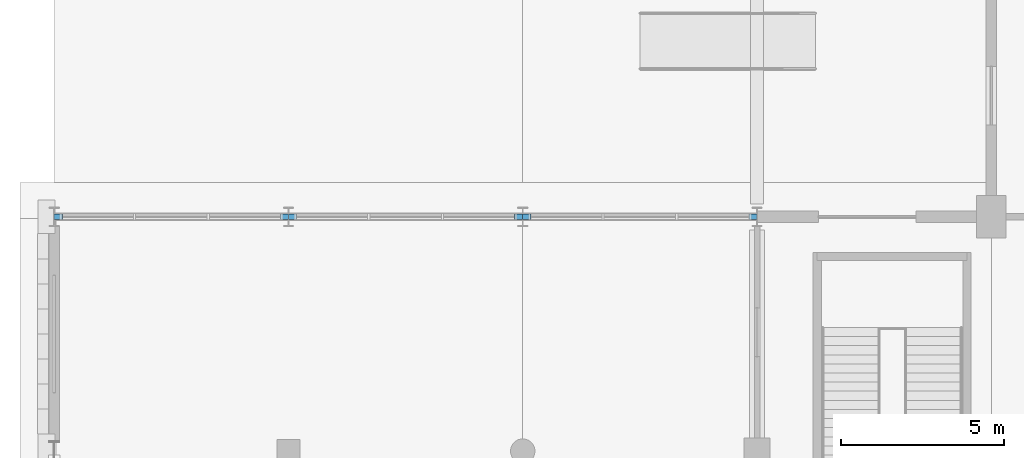
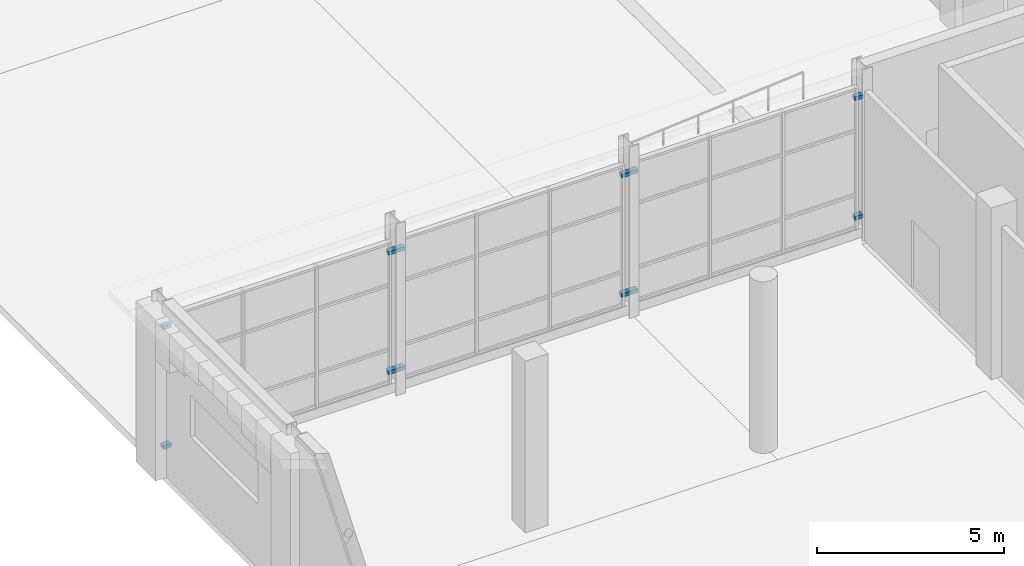
# One storey, part 67 of 85: 12 discrete accessories.
"""IFC4 building model written with IfcOpenShell, lengths in metres."""

from ifc_helpers import new_model, si_unit, direction, frame, origin, place, context, subcontext, project, spatial, rectangle, extrude, material, type_object, element, save


model = new_model("IFC4")

# Units and contexts
model_context = context("Model", 3, precision=1e-05, world=origin(), true_north=direction((0.0, 1.0)))
body_context = subcontext(model_context, "Body", "Model", "MODEL_VIEW")
ifc_project = project(units=[si_unit("LENGTHUNIT", "METRE"), si_unit("AREAUNIT", "SQUARE_METRE"), si_unit("VOLUMEUNIT", "CUBIC_METRE"), si_unit("PLANEANGLEUNIT", "RADIAN"), si_unit("MASSUNIT", "GRAM", prefix="KILO")], contexts=[model_context])

# Site, building, storey
site_placement = place(None, origin())
site = spatial("IfcSite", under=ifc_project, at=site_placement, CompositionType="ELEMENT")
building_placement = place(site_placement, origin())
building = spatial("IfcBuilding", under=site, at=building_placement, Name="Sardonyx Promenade Sports Hall", CompositionType="ELEMENT")
storey_placement = place(building_placement, origin())
storey = spatial("IfcBuildingStorey", under=building, at=storey_placement, Name="L00", CompositionType="ELEMENT", Elevation=0.0)

# Discrete accessories
ifc_material = material(Name="Steel S355JR", Category="steel")
discrete_accessory_type = type_object("IfcDiscreteAccessoryType", Name="Acc_Bracket_S355", PredefinedType="BRACKET", material=ifc_material)
for number, where, z_axis, x_axis, name in (
    (1, (0.125, 72.0, 0.59), (0.0, 0.0, 1.0), (1.0, 0.0, 0.0), "Curtain-wall jamb bracket L00 #1"),
    (2, (0.125, 72.0, 4.49), (0.0, 0.0, 1.0), (1.0, 0.0, 0.0), "Curtain-wall jamb bracket L00 #2"),
    (3, (7.075, 72.0, 0.59), (0.0, 0.0, 1.0), (1.0, 0.0, 0.0), "Curtain-wall jamb bracket L00 #3"),
    (4, (7.075, 72.0, 4.49), (0.0, 0.0, 1.0), (1.0, 0.0, 0.0), "Curtain-wall jamb bracket L00 #4"),
    (5, (7.325, 72.0, 0.59), (0.0, 0.0, 1.0), (1.0, 0.0, 0.0), "Curtain-wall jamb bracket L00 #5"),
    (6, (7.325, 72.0, 4.49), (0.0, 0.0, 1.0), (1.0, 0.0, 0.0), "Curtain-wall jamb bracket L00 #6"),
    (7, (14.275, 72.0, 0.59), (0.0, 0.0, 1.0), (1.0, 0.0, 0.0), "Curtain-wall jamb bracket L00 #7"),
    (8, (14.275, 72.0, 4.49), (0.0, 0.0, 1.0), (1.0, 0.0, 0.0), "Curtain-wall jamb bracket L00 #8"),
    (9, (14.525, 72.0, 0.59), (0.0, 0.0, 1.0), (1.0, 0.0, 0.0), "Curtain-wall jamb bracket L00 #9"),
    (10, (14.525, 72.0, 4.49), (0.0, 0.0, 1.0), (1.0, 0.0, 0.0), "Curtain-wall jamb bracket L00 #10"),
    (11, (21.475, 72.0, 0.59), (0.0, 0.0, 1.0), (1.0, 0.0, 0.0), "Curtain-wall jamb bracket L00 #11"),
    (12, (21.475, 72.0, 4.49), (0.0, 0.0, 1.0), (1.0, 0.0, 0.0), "Curtain-wall jamb bracket L00 #12"),
):
    element("IfcDiscreteAccessory", number, at=place(storey_placement, frame(where, z_axis=z_axis, x_axis=x_axis)), inside=storey, type_object=discrete_accessory_type, material=ifc_material, Name=name, PredefinedType="BRACKET", context=body_context, shape_type="SweptSolid", body=[
        extrude(rectangle(XDim=0.25, YDim=0.16), origin(), (0.0, 0.0, 1.0), 0.12),
    ])

save(model, "model.ifc")
